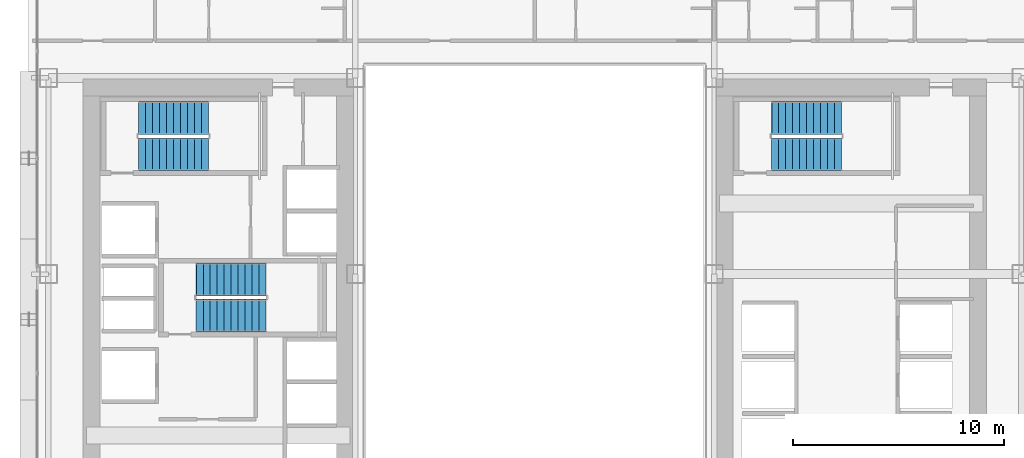
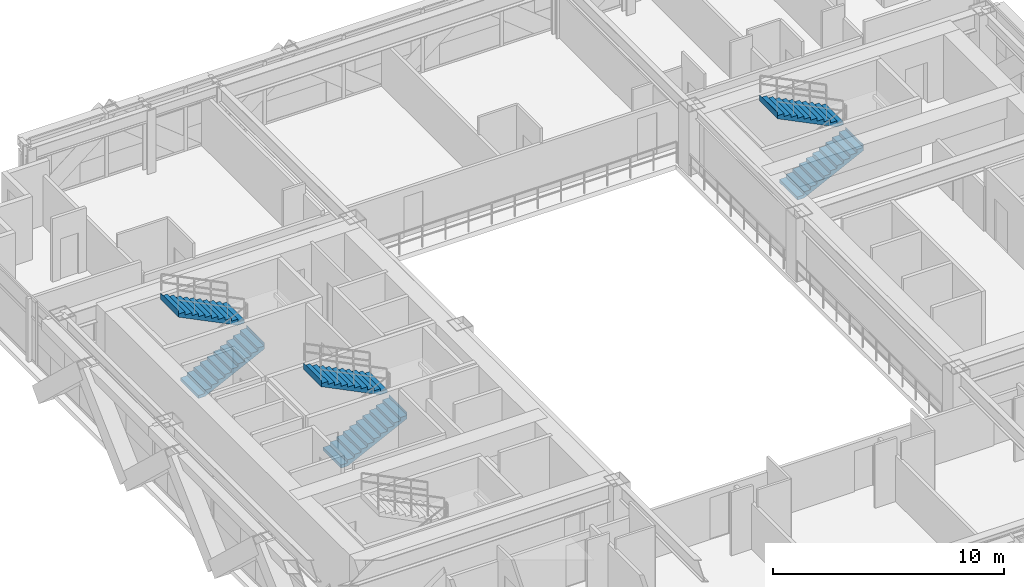
# One storey, part 31 of 35: 6 stair flights, 3 elements without a shape of their own.
"""IFC4 building model written with IfcOpenShell, lengths in metres."""

from ifc_helpers import new_model, si_unit, direction, frame, origin, place, context, subcontext, project, spatial, polyline, outline, extrude, source, transform, mapped, material, type_object, element, aggregate, save


model = new_model("IFC4")

# Units and contexts
model_context = context("Model", 3, precision=1e-05, world=origin(), true_north=direction((0.0, 1.0)))
body_context = subcontext(model_context, "Body", "Model", "MODEL_VIEW")
ifc_project = project(units=[si_unit("LENGTHUNIT", "METRE"), si_unit("AREAUNIT", "SQUARE_METRE"), si_unit("VOLUMEUNIT", "CUBIC_METRE"), si_unit("PLANEANGLEUNIT", "RADIAN"), si_unit("MASSUNIT", "GRAM", prefix="KILO")], contexts=[model_context])

# Site, building, storey
site_placement = place(None, origin())
site = spatial("IfcSite", under=ifc_project, at=site_placement, CompositionType="ELEMENT")
building_placement = place(site_placement, origin())
building = spatial("IfcBuilding", under=site, at=building_placement, Name="Ocotamira Hotel", CompositionType="ELEMENT")
storey_placement = place(building_placement, frame((0.0, 0.0, 78.0)))
storey = spatial("IfcBuildingStorey", under=building, at=storey_placement, Name="L19", CompositionType="ELEMENT", Elevation=78.0)

# Stair, stair flights
ifc_material = material(Name="Concrete C40/50", Category="concrete")
stair_type = type_object("IfcStairType", Name="ST-CORE-1560", PredefinedType="HALF_TURN_STAIR", material=ifc_material)
stair_1_placement = place(storey_placement, origin())
stair_1 = element("IfcStair", 1, at=stair_1_placement, inside=storey, type_object=stair_type, Name="L19 Exit Stair ST-2", PredefinedType="HALF_TURN_STAIR")
stair_flight_type = type_object("IfcStairFlightType", Name="STF-CORE-1560", PredefinedType="STRAIGHT", material=ifc_material)
shared_shape = source(origin(), body_context, "Body", "SweptSolid", [
    extrude(outline(polyline([(-0.00390625, 0.0), (-0.00390625, 0.16357421875), (0.330078125, 0.16357421875), (0.330078125, 0.327392578125), (0.659912109375, 0.327392578125), (0.659912109375, 0.490966796875), (0.989990234375, 0.490966796875), (0.989990234375, 0.654541015625), (1.320068359375, 0.654541015625), (1.320068359375, 0.818115234375), (1.64990234375, 0.818115234375), (1.64990234375, 0.98193359375), (1.97998046875, 0.98193359375), (1.97998046875, 1.1455078125), (2.31005859375, 1.1455078125), (2.31005859375, 1.30908203125), (2.639892578125, 1.30908203125), (2.639892578125, 1.47265625), (2.969970703125, 1.47265625), (2.969970703125, 1.636474609375), (3.300048828125, 1.636474609375), (3.300048828125, 1.800048828125), (3.303955078125, 1.800048828125), (3.303955078125, 1.468994140625), (0.33740234375, 0.0), (-0.00390625, 0.0)])), frame((0.0, 0.780029296875, 0.0), z_axis=(0.0, -1.0, 0.0), x_axis=(1.0, 0.0, 0.0)), (0.0, 0.0, 1.0), 1.56005859375),
])
stair_flight_1_placement = place(storey_placement, frame((13.22998046875, 33.830078125, 0.0), z_axis=(0.0, 0.0, 1.0), x_axis=(1.0, 0.0, 0.0)))
stair_flight_1 = element("IfcStairFlight", 2, at=stair_flight_1_placement, type_object=stair_flight_type, Name="ST-2 flight 1", NumberOfRisers=11, NumberOfTreads=10, PredefinedType="STRAIGHT", RiserHeight=0.163636364, TreadLength=0.33, context=body_context, shape_type="MappedRepresentation", body=[
    mapped(shared_shape, transform((0.0, 0.0, 0.0), scale=1.0)),
])
stair_flight_2_placement = place(storey_placement, frame((16.530029296875, 35.550048828125, 1.800048828125), z_axis=(0.0, 0.0, 1.0), x_axis=(-1.0, 0.0, 0.0)))
stair_flight_2 = element("IfcStairFlight", 3, at=stair_flight_2_placement, type_object=stair_flight_type, Name="ST-2 flight 2", NumberOfRisers=11, NumberOfTreads=10, PredefinedType="STRAIGHT", RiserHeight=0.163636364, TreadLength=0.33, context=body_context, shape_type="MappedRepresentation", body=[
    mapped(shared_shape, transform((0.0, 0.0, 0.0), scale=1.0)),
])
aggregate(stair_1, [stair_flight_1, stair_flight_2])

stair_2_placement = place(storey_placement, origin())
stair_2 = element("IfcStair", 4, at=stair_2_placement, inside=storey, type_object=stair_type, Name="L19 Exit Stair ST-3", PredefinedType="HALF_TURN_STAIR")
stair_flight_3_placement = place(storey_placement, frame((15.9599609375, 26.179931640625, 0.0), z_axis=(0.0, 0.0, 1.0), x_axis=(1.0, 0.0, 0.0)))
stair_flight_3 = element("IfcStairFlight", 5, at=stair_flight_3_placement, type_object=stair_flight_type, Name="ST-3 flight 1", NumberOfRisers=11, NumberOfTreads=10, PredefinedType="STRAIGHT", RiserHeight=0.163636364, TreadLength=0.33, context=body_context, shape_type="MappedRepresentation", body=[
    mapped(shared_shape, transform((0.0, 0.0, 0.0), scale=1.0)),
])
stair_flight_4_placement = place(storey_placement, frame((19.260009765625, 27.89990234375, 1.800048828125), z_axis=(0.0, 0.0, 1.0), x_axis=(-1.0, 0.0, 0.0)))
stair_flight_4 = element("IfcStairFlight", 6, at=stair_flight_4_placement, type_object=stair_flight_type, Name="ST-3 flight 2", NumberOfRisers=11, NumberOfTreads=10, PredefinedType="STRAIGHT", RiserHeight=0.163636364, TreadLength=0.33, context=body_context, shape_type="MappedRepresentation", body=[
    mapped(shared_shape, transform((0.0, 0.0, 0.0), scale=1.0)),
])
aggregate(stair_2, [stair_flight_3, stair_flight_4])

stair_3_placement = place(storey_placement, origin())
stair_3 = element("IfcStair", 7, at=stair_3_placement, inside=storey, type_object=stair_type, Name="L19 Exit Stair ST-4", PredefinedType="HALF_TURN_STAIR")
stair_flight_5_placement = place(storey_placement, frame((43.22998046875, 33.830078125, 0.0), z_axis=(0.0, 0.0, 1.0), x_axis=(1.0, 0.0, 0.0)))
stair_flight_5 = element("IfcStairFlight", 8, at=stair_flight_5_placement, type_object=stair_flight_type, Name="ST-4 flight 1", NumberOfRisers=11, NumberOfTreads=10, PredefinedType="STRAIGHT", RiserHeight=0.163636364, TreadLength=0.33, context=body_context, shape_type="MappedRepresentation", body=[
    mapped(shared_shape, transform((0.0, 0.0, 0.0), scale=1.0)),
])
stair_flight_6_placement = place(storey_placement, frame((46.530029296875, 35.550048828125, 1.800048828125), z_axis=(0.0, 0.0, 1.0), x_axis=(-1.0, 0.0, 0.0)))
stair_flight_6 = element("IfcStairFlight", 9, at=stair_flight_6_placement, type_object=stair_flight_type, Name="ST-4 flight 2", NumberOfRisers=11, NumberOfTreads=10, PredefinedType="STRAIGHT", RiserHeight=0.163636364, TreadLength=0.33, context=body_context, shape_type="MappedRepresentation", body=[
    mapped(shared_shape, transform((0.0, 0.0, 0.0), scale=1.0)),
])
aggregate(stair_3, [stair_flight_5, stair_flight_6])

save(model, "model.ifc")
